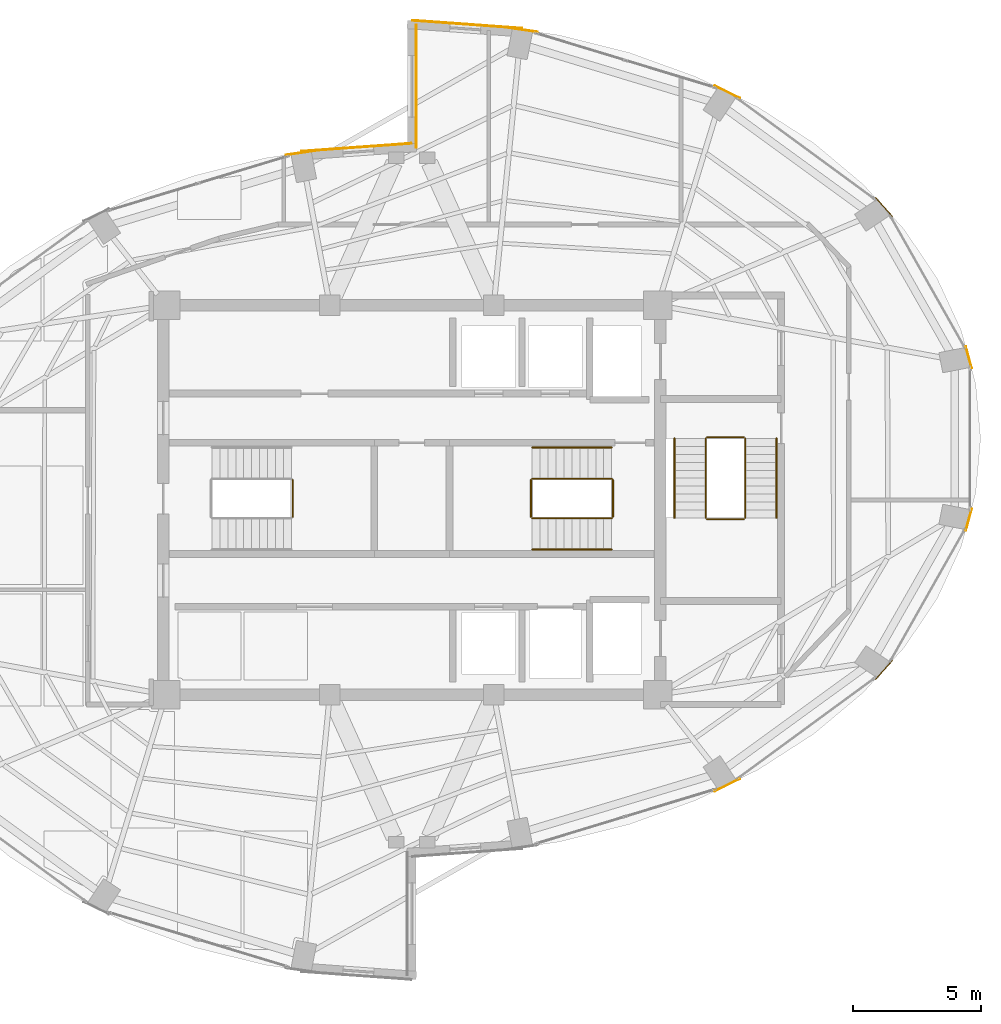
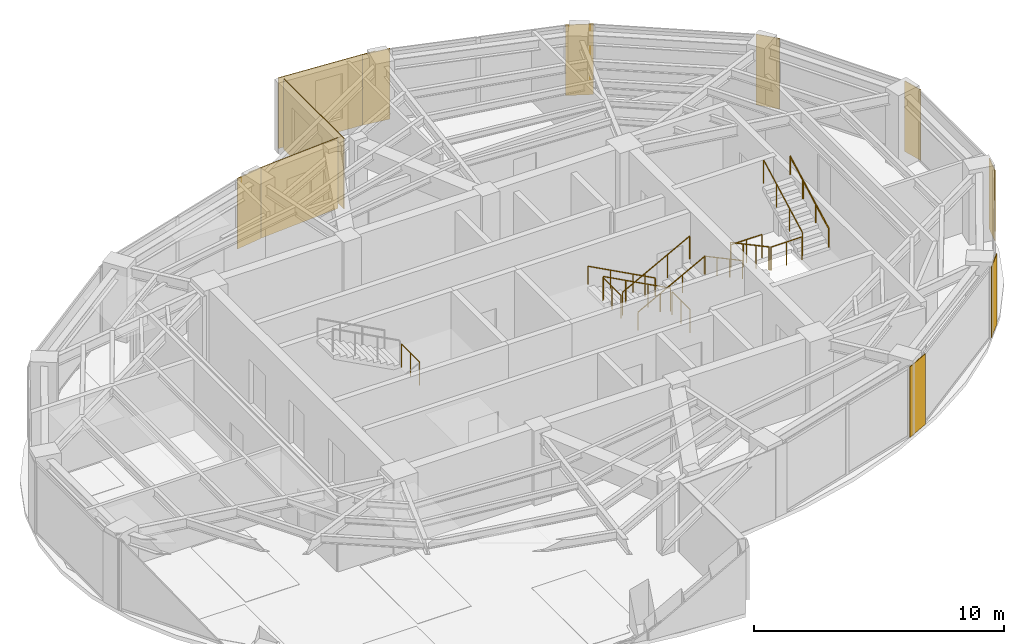
# One storey, part 22 of 22: 13 railings, 11 coverings.
"""IFC4 building model written with IfcOpenShell, lengths in metres."""

from ifc_helpers import new_model, si_unit, direction, frame, origin, origin_2d, place, context, subcontext, project, spatial, rectangle, circle, extrude, material, layer, layer_set, type_object, element, save


model = new_model("IFC4")

# Units and contexts
model_context = context("Model", 3, precision=1e-05, world=origin(), true_north=direction((0.0, 1.0)))
body_context = subcontext(model_context, "Body", "Model", "MODEL_VIEW")
ifc_project = project(units=[si_unit("LENGTHUNIT", "METRE"), si_unit("AREAUNIT", "SQUARE_METRE"), si_unit("VOLUMEUNIT", "CUBIC_METRE"), si_unit("PLANEANGLEUNIT", "RADIAN"), si_unit("MASSUNIT", "GRAM", prefix="KILO")], contexts=[model_context])

# Site, building, storey
site_placement = place(None, origin())
site = spatial("IfcSite", under=ifc_project, at=site_placement, CompositionType="ELEMENT")
building_placement = place(site_placement, origin())
building = spatial("IfcBuilding", under=site, at=building_placement, Name="Lazwardi Medical Tower", CompositionType="ELEMENT")
storey_placement = place(building_placement, frame((0.0, 0.0, 238.60791015625)))
storey = spatial("IfcBuildingStorey", under=building, at=storey_placement, Name="L62", CompositionType="ELEMENT", Elevation=238.60791015625)

# Coverings
ifc_material_1 = material(Name="Anodised bronze aluminium cassette cladding", Category="aluminium")
ifc_layer_1 = layer(ifc_material_1, 0.030029296875)
ifc_layer_set_1 = layer_set([ifc_layer_1], Name="Anodised bronze aluminium cassette cladding")
covering_type_1 = type_object("IfcCoveringType", Name="COV-CLD-BRZ", PredefinedType="CLADDING", material=ifc_layer_set_1)
covering_1_placement = place(storey_placement, frame((48.311279296875, 16.878662109375, 0.0), z_axis=(0.0, 0.0, 1.0), x_axis=(0.897840141691, 0.440321564278, 0.0)))
element("IfcCovering", 1, at=covering_1_placement, inside=storey, type_object=covering_type_1, Name="L62 Mega-column bronze cassette cover M02", PredefinedType="CLADDING", context=body_context, shape_type="SweptSolid", body=[
    extrude(rectangle(XDim=1.110595703125, YDim=0.030029296875, at=origin_2d()), origin(), (0.0, 0.0, 1.0), 3.447998046875),
])
covering_2_placement = place(storey_placement, frame((54.42529296875, 21.365234375, 0.0), z_axis=(0.0, 0.0, 1.0), x_axis=(0.673240970654, 0.739423150458, 0.0)))
element("IfcCovering", 2, at=covering_2_placement, inside=storey, type_object=covering_type_1, Name="L62 Mega-column bronze cassette cover M03", PredefinedType="CLADDING", context=body_context, shape_type="SweptSolid", body=[
    extrude(rectangle(XDim=0.98974609375, YDim=0.030029296875, at=origin_2d()), origin(), (0.0, 0.0, 1.0), 3.447998046875),
])
for number, where, z_axis, x_axis, name in (
    (3, (57.734130859375, 27.227294921875, 0.0), (0.0, 0.0, 1.0), (0.261641748247, 0.96516506131, 0.0), "L62 Mega-column bronze cassette cover M04"),
    (4, (57.734130859375, 33.572509765625, 0.0), (0.0, 0.0, 1.0), (-0.261641748247, 0.96516506131, 0.0), "L62 Mega-column bronze cassette cover M05"),
):
    element("IfcCovering", number, at=place(storey_placement, frame(where, z_axis=z_axis, x_axis=x_axis)), inside=storey, type_object=covering_type_1, Name=name, PredefinedType="CLADDING", context=body_context, shape_type="SweptSolid", body=[
        extrude(rectangle(XDim=0.894287109375, YDim=0.030029296875, at=origin_2d()), origin(), (0.0, 0.0, 1.0), 3.447998046875),
    ])
covering_3_placement = place(storey_placement, frame((54.42529296875, 39.434814453125, 0.0), z_axis=(0.0, 0.0, 1.0), x_axis=(-0.673240970654, 0.739423150458, 0.0)))
element("IfcCovering", 5, at=covering_3_placement, inside=storey, type_object=covering_type_1, Name="L62 Mega-column bronze cassette cover M06", PredefinedType="CLADDING", context=body_context, shape_type="SweptSolid", body=[
    extrude(rectangle(XDim=0.98974609375, YDim=0.030029296875, at=origin_2d()), origin(), (0.0, 0.0, 1.0), 3.447998046875),
])
covering_4_placement = place(storey_placement, frame((48.311279296875, 43.92138671875, 0.0), z_axis=(0.0, 0.0, 1.0), x_axis=(-0.897840141691, 0.440321564278, 0.0)))
element("IfcCovering", 6, at=covering_4_placement, inside=storey, type_object=covering_type_1, Name="L62 Mega-column bronze cassette cover M07", PredefinedType="CLADDING", context=body_context, shape_type="SweptSolid", body=[
    extrude(rectangle(XDim=1.110595703125, YDim=0.030029296875, at=origin_2d()), origin(), (0.0, 0.0, 1.0), 3.447998046875),
])
for number, where, z_axis, x_axis, name in (
    (7, (40.3232421875, 46.349609375, 0.0), (0.0, 0.0, 1.0), (-0.989512431533, 0.144447733943, 0.0), "L62 Mega-column bronze cassette cover M08"),
    (8, (31.6767578125, 41.549560546875, 0.0), (0.0, 0.0, 1.0), (-0.989512431533, -0.144447733943, 0.0), "L62 Mega-column bronze cassette cover M09"),
):
    element("IfcCovering", number, at=place(storey_placement, frame(where, z_axis=z_axis, x_axis=x_axis)), inside=storey, type_object=covering_type_1, Name=name, PredefinedType="CLADDING", context=body_context, shape_type="SweptSolid", body=[
        extrude(rectangle(XDim=1.188720703125, YDim=0.030029296875, at=origin_2d()), origin(), (0.0, 0.0, 1.0), 3.447998046875),
    ])
ifc_material_2 = material(Name="Turquoise glazed ceramic tilework cladding", Category="masonry")
ifc_layer_2 = layer(ifc_material_2, 0.034912109375)
ifc_layer_set_2 = layer_set([ifc_layer_2], Name="Turquoise glazed ceramic tilework cladding")
covering_type_2 = type_object("IfcCoveringType", Name="COV-CLD-TRQ", PredefinedType="CLADDING", material=ifc_layer_set_2)
covering_5_placement = place(storey_placement, frame((38.16259765625, 46.56005859375, 0.0), z_axis=(0.0, 0.0, 1.0), x_axis=(-0.997409491337, 0.071932653157, 0.0)))
element("IfcCovering", 9, at=covering_5_placement, inside=storey, type_object=covering_type_2, Name="L62 Turquoise glazed ceramic tilework cladding", PredefinedType="CLADDING", context=body_context, shape_type="SweptSolid", body=[
    extrude(rectangle(XDim=4.31103515625, YDim=0.034912109375, at=origin_2d()), origin(), (0.0, 0.0, 1.0), 3.447998046875),
])
covering_6_placement = place(storey_placement, frame((33.83740234375, 41.760009765625, 0.0), z_axis=(0.0, 0.0, 1.0), x_axis=(-0.997408989128, -0.071939616387, 0.0)))
element("IfcCovering", 10, at=covering_6_placement, inside=storey, type_object=covering_type_2, Name="L62 Turquoise glazed ceramic tilework cladding", PredefinedType="CLADDING", context=body_context, shape_type="SweptSolid", body=[
    extrude(rectangle(XDim=4.310546875, YDim=0.034912109375, at=origin_2d()), origin(), (0.0, 0.0, 1.0), 3.447998046875),
])
covering_7_placement = place(storey_placement, frame((36.175537109375, 44.139892578125, 0.0), z_axis=(0.0, 0.0, 1.0), x_axis=(0.0, -1.0, 0.0)))
element("IfcCovering", 11, at=covering_7_placement, inside=storey, type_object=covering_type_2, Name="L62 Turquoise glazed ceramic tilework iwan panel", PredefinedType="CLADDING", context=body_context, shape_type="SweptSolid", body=[
    extrude(rectangle(XDim=4.800048828125, YDim=0.034912109375, at=origin_2d()), origin(), (0.0, 0.0, 1.0), 3.447998046875),
])

# Railings
ifc_material_3 = material(Name="Stainless steel Grade 316", Category="steel")
railing_type_1 = type_object("IfcRailingType", Name="RLG-GRD-1150", PredefinedType="GUARDRAIL", material=ifc_material_3)
railing_1_placement = place(storey_placement, frame((31.35009765625, 27.340087890625, 1.823974609375)))
element("IfcRailing", 12, at=railing_1_placement, inside=storey, type_object=railing_type_1, Name="L62 ST1 stair guard 2", PredefinedType="GUARDRAIL", context=body_context, shape_type="SweptSolid", body=[
    extrude(circle(Radius=0.02392578125, at=origin_2d()), frame((0.0, 0.0, 1.1259765625), z_axis=(0.0, 1.0, 0.0), x_axis=(-1.0, 0.0, 0.0)), (0.0, 0.0, 1.0), 1.43994140625),
    extrude(circle(Radius=0.02099609375, at=origin_2d()), origin(), (0.0, 0.0, 1.0), 1.099853515625),
    extrude(circle(Radius=0.02099609375, at=origin_2d()), frame((0.0, 0.719970703125, 0.0)), (0.0, 0.0, 1.0), 1.099853515625),
    extrude(circle(Radius=0.02099609375, at=origin_2d()), frame((0.0, 1.43994140625, 0.0)), (0.0, 0.0, 1.0), 1.099853515625),
])
railing_2_placement = place(storey_placement, frame((43.800048828125, 28.830078125, 0.166015625)))
element("IfcRailing", 13, at=railing_2_placement, inside=storey, type_object=railing_type_1, Name="L62 ST2 stair guard 1", PredefinedType="GUARDRAIL", context=body_context, shape_type="SweptSolid", body=[
    extrude(circle(Radius=0.02392578125, at=origin_2d()), frame((0.0, 0.0, 1.1259765625), z_axis=(-0.881812178953, 0.0, 0.471600764472), x_axis=(0.0, -1.0, 0.0)), (0.0, 0.0, 1.0), 3.515625),
    extrude(circle(Radius=0.02099609375, at=origin_2d()), origin(), (0.0, 0.0, 1.0), 1.099853515625),
    extrude(circle(Radius=0.02099609375, at=origin_2d()), frame((-1.033447265625, 0.0, 0.552734375)), (0.0, 0.0, 1.0), 1.099853515625),
    extrude(circle(Radius=0.02099609375, at=origin_2d()), frame((-2.066650390625, 0.0, 1.105224609375)), (0.0, 0.0, 1.0), 1.099853515625),
    extrude(circle(Radius=0.02099609375, at=origin_2d()), frame((-3.10009765625, 0.0, 1.657958984375)), (0.0, 0.0, 1.0), 1.099853515625),
])
railing_3_placement = place(storey_placement, frame((40.64990234375, 28.780029296875, 1.823974609375)))
element("IfcRailing", 14, at=railing_3_placement, inside=storey, type_object=railing_type_1, Name="L62 ST2 stair guard 2", PredefinedType="GUARDRAIL", context=body_context, shape_type="SweptSolid", body=[
    extrude(circle(Radius=0.02392578125, at=origin_2d()), frame((0.0, 0.0, 1.1259765625), z_axis=(0.0, -1.0, 0.0), x_axis=(1.0, 0.0, 0.0)), (0.0, 0.0, 1.0), 1.43994140625),
    extrude(circle(Radius=0.02099609375, at=origin_2d()), origin(), (0.0, 0.0, 1.0), 1.099853515625),
    extrude(circle(Radius=0.02099609375, at=origin_2d()), frame((0.0, -0.719970703125, 0.0)), (0.0, 0.0, 1.0), 1.099853515625),
    extrude(circle(Radius=0.02099609375, at=origin_2d()), frame((0.0, -1.43994140625, 0.0)), (0.0, 0.0, 1.0), 1.099853515625),
])
railing_4_placement = place(storey_placement, frame((40.699951171875, 27.2900390625, 1.989990234375)))
element("IfcRailing", 15, at=railing_4_placement, inside=storey, type_object=railing_type_1, Name="L62 ST2 stair guard 3", PredefinedType="GUARDRAIL", context=body_context, shape_type="SweptSolid", body=[
    extrude(circle(Radius=0.02392578125, at=origin_2d()), frame((0.0, 0.0, 1.1259765625), z_axis=(0.881783298633, 0.0, 0.471654761719), x_axis=(0.0, 1.0, 0.0)), (0.0, 0.0, 1.0), 3.515625),
    extrude(circle(Radius=0.02099609375, at=origin_2d()), origin(), (0.0, 0.0, 1.0), 1.099853515625),
    extrude(circle(Radius=0.02099609375, at=origin_2d()), frame((1.033447265625, 0.0, 0.552734375)), (0.0, 0.0, 1.0), 1.099853515625),
    extrude(circle(Radius=0.02099609375, at=origin_2d()), frame((2.066650390625, 0.0, 1.10546875)), (0.0, 0.0, 1.0), 1.099853515625),
    extrude(circle(Radius=0.02099609375, at=origin_2d()), frame((3.10009765625, 0.0, 1.658203125)), (0.0, 0.0, 1.0), 1.099853515625),
])
railing_5_placement = place(storey_placement, frame((43.85009765625, 28.780029296875, 0.0)))
element("IfcRailing", 16, at=railing_5_placement, inside=storey, type_object=railing_type_1, Name="L62 ST2 stair guard 4", PredefinedType="GUARDRAIL", context=body_context, shape_type="SweptSolid", body=[
    extrude(circle(Radius=0.02392578125, at=origin_2d()), frame((0.0, 0.0, 1.1259765625), z_axis=(0.0, -1.0, 0.0), x_axis=(1.0, 0.0, 0.0)), (0.0, 0.0, 1.0), 1.43994140625),
    extrude(circle(Radius=0.02099609375, at=origin_2d()), origin(), (0.0, 0.0, 1.0), 1.099853515625),
    extrude(circle(Radius=0.02099609375, at=origin_2d()), frame((0.0, -0.719970703125, 0.0)), (0.0, 0.0, 1.0), 1.099853515625),
    extrude(circle(Radius=0.02099609375, at=origin_2d()), frame((0.0, -1.43994140625, 0.0)), (0.0, 0.0, 1.0), 1.099853515625),
])
railing_6_placement = place(storey_placement, frame((47.469970703125, 30.39990234375, 0.166015625)))
element("IfcRailing", 17, at=railing_6_placement, inside=storey, type_object=railing_type_1, Name="L62 ST3 stair guard 1", PredefinedType="GUARDRAIL", context=body_context, shape_type="SweptSolid", body=[
    extrude(circle(Radius=0.02392578125, at=origin_2d()), frame((0.0, 0.0, 1.1259765625), z_axis=(0.0, -0.881796732468, 0.4716296456), x_axis=(1.0, 0.0, 0.0)), (0.0, 0.0, 1.0), 3.515380859375),
    extrude(circle(Radius=0.02099609375, at=origin_2d()), origin(), (0.0, 0.0, 1.0), 1.099853515625),
    extrude(circle(Radius=0.02099609375, at=origin_2d()), frame((0.0, -1.033203125, 0.552734375)), (0.0, 0.0, 1.0), 1.099853515625),
    extrude(circle(Radius=0.02099609375, at=origin_2d()), frame((0.0, -2.066650390625, 1.105224609375)), (0.0, 0.0, 1.0), 1.099853515625),
    extrude(circle(Radius=0.02099609375, at=origin_2d()), frame((0.0, -3.099853515625, 1.657958984375)), (0.0, 0.0, 1.0), 1.099853515625),
])
railing_7_placement = place(storey_placement, frame((47.52001953125, 27.25, 1.823974609375)))
element("IfcRailing", 18, at=railing_7_placement, inside=storey, type_object=railing_type_1, Name="L62 ST3 stair guard 2", PredefinedType="GUARDRAIL", context=body_context, shape_type="SweptSolid", body=[
    extrude(circle(Radius=0.02392578125, at=origin_2d()), frame((0.0, 0.0, 1.1259765625), z_axis=(1.0, 0.0, 0.0), x_axis=(0.0, 1.0, 0.0)), (0.0, 0.0, 1.0), 1.43994140625),
    extrude(circle(Radius=0.02099609375, at=origin_2d()), origin(), (0.0, 0.0, 1.0), 1.099853515625),
    extrude(circle(Radius=0.02099609375, at=origin_2d()), frame((0.719970703125, 0.0, 0.0)), (0.0, 0.0, 1.0), 1.099853515625),
    extrude(circle(Radius=0.02099609375, at=origin_2d()), frame((1.43994140625, 0.0, 0.0)), (0.0, 0.0, 1.0), 1.099853515625),
])
railing_8_placement = place(storey_placement, frame((49.010009765625, 27.300048828125, 1.989990234375)))
element("IfcRailing", 19, at=railing_8_placement, inside=storey, type_object=railing_type_1, Name="L62 ST3 stair guard 3", PredefinedType="GUARDRAIL", context=body_context, shape_type="SweptSolid", body=[
    extrude(circle(Radius=0.02392578125, at=origin_2d()), frame((0.0, 0.0, 1.1259765625), z_axis=(0.0, 0.881767849116, 0.471683644262), x_axis=(-1.0, 0.0, 0.0)), (0.0, 0.0, 1.0), 3.515380859375),
    extrude(circle(Radius=0.02099609375, at=origin_2d()), origin(), (0.0, 0.0, 1.0), 1.099853515625),
    extrude(circle(Radius=0.02099609375, at=origin_2d()), frame((0.0, 1.033203125, 0.552734375)), (0.0, 0.0, 1.0), 1.099853515625),
    extrude(circle(Radius=0.02099609375, at=origin_2d()), frame((0.0, 2.066650390625, 1.10546875)), (0.0, 0.0, 1.0), 1.099853515625),
    extrude(circle(Radius=0.02099609375, at=origin_2d()), frame((0.0, 3.099853515625, 1.658203125)), (0.0, 0.0, 1.0), 1.099853515625),
])
railing_9_placement = place(storey_placement, frame((47.52001953125, 30.449951171875, 0.0)))
element("IfcRailing", 20, at=railing_9_placement, inside=storey, type_object=railing_type_1, Name="L62 ST3 stair guard 4", PredefinedType="GUARDRAIL", context=body_context, shape_type="SweptSolid", body=[
    extrude(circle(Radius=0.02392578125, at=origin_2d()), frame((0.0, 0.0, 1.1259765625), z_axis=(1.0, 0.0, 0.0), x_axis=(0.0, 1.0, 0.0)), (0.0, 0.0, 1.0), 1.43994140625),
    extrude(circle(Radius=0.02099609375, at=origin_2d()), origin(), (0.0, 0.0, 1.0), 1.099853515625),
    extrude(circle(Radius=0.02099609375, at=origin_2d()), frame((0.719970703125, 0.0, 0.0)), (0.0, 0.0, 1.0), 1.099853515625),
    extrude(circle(Radius=0.02099609375, at=origin_2d()), frame((1.43994140625, 0.0, 0.0)), (0.0, 0.0, 1.0), 1.099853515625),
])
railing_type_2 = type_object("IfcRailingType", Name="RLG-HND-920", PredefinedType="HANDRAIL", material=ifc_material_3)
railing_10_placement = place(storey_placement, frame((43.800048828125, 30.050048828125, 0.166015625)))
element("IfcRailing", 21, at=railing_10_placement, inside=storey, type_object=railing_type_2, Name="L62 ST2 stair handrail 1", PredefinedType="HANDRAIL", context=body_context, shape_type="SweptSolid", body=[
    extrude(circle(Radius=0.02392578125, at=origin_2d()), frame((0.0, 0.0, 0.8857421875), z_axis=(-0.881812178953, 0.0, 0.471600764472), x_axis=(0.0, -1.0, 0.0)), (0.0, 0.0, 1.0), 3.515625),
    extrude(circle(Radius=0.02099609375, at=origin_2d()), origin(), (0.0, 0.0, 1.0), 0.85986328125),
    extrude(circle(Radius=0.02099609375, at=origin_2d()), frame((-1.033447265625, 0.0, 0.552734375)), (0.0, 0.0, 1.0), 0.85986328125),
    extrude(circle(Radius=0.02099609375, at=origin_2d()), frame((-2.066650390625, 0.0, 1.105224609375)), (0.0, 0.0, 1.0), 0.85986328125),
    extrude(circle(Radius=0.02099609375, at=origin_2d()), frame((-3.10009765625, 0.0, 1.657958984375)), (0.0, 0.0, 1.0), 0.85986328125),
])
railing_11_placement = place(storey_placement, frame((40.699951171875, 26.070068359375, 1.989990234375)))
element("IfcRailing", 22, at=railing_11_placement, inside=storey, type_object=railing_type_2, Name="L62 ST2 stair handrail 2", PredefinedType="HANDRAIL", context=body_context, shape_type="SweptSolid", body=[
    extrude(circle(Radius=0.02392578125, at=origin_2d()), frame((0.0, 0.0, 0.8857421875), z_axis=(0.881783298633, 0.0, 0.471654761719), x_axis=(0.0, 1.0, 0.0)), (0.0, 0.0, 1.0), 3.515625),
    extrude(circle(Radius=0.02099609375, at=origin_2d()), origin(), (0.0, 0.0, 1.0), 0.85986328125),
    extrude(circle(Radius=0.02099609375, at=origin_2d()), frame((1.033447265625, 0.0, 0.552734375)), (0.0, 0.0, 1.0), 0.85986328125),
    extrude(circle(Radius=0.02099609375, at=origin_2d()), frame((2.066650390625, 0.0, 1.10546875)), (0.0, 0.0, 1.0), 0.85986328125),
    extrude(circle(Radius=0.02099609375, at=origin_2d()), frame((3.10009765625, 0.0, 1.658203125)), (0.0, 0.0, 1.0), 0.85986328125),
])
railing_12_placement = place(storey_placement, frame((46.25, 30.39990234375, 0.166015625)))
element("IfcRailing", 23, at=railing_12_placement, inside=storey, type_object=railing_type_2, Name="L62 ST3 stair handrail 1", PredefinedType="HANDRAIL", context=body_context, shape_type="SweptSolid", body=[
    extrude(circle(Radius=0.02392578125, at=origin_2d()), frame((0.0, 0.0, 0.8857421875), z_axis=(0.0, -0.881796732468, 0.4716296456), x_axis=(1.0, 0.0, 0.0)), (0.0, 0.0, 1.0), 3.515380859375),
    extrude(circle(Radius=0.02099609375, at=origin_2d()), origin(), (0.0, 0.0, 1.0), 0.85986328125),
    extrude(circle(Radius=0.02099609375, at=origin_2d()), frame((0.0, -1.033203125, 0.552734375)), (0.0, 0.0, 1.0), 0.85986328125),
    extrude(circle(Radius=0.02099609375, at=origin_2d()), frame((0.0, -2.066650390625, 1.105224609375)), (0.0, 0.0, 1.0), 0.85986328125),
    extrude(circle(Radius=0.02099609375, at=origin_2d()), frame((0.0, -3.099853515625, 1.657958984375)), (0.0, 0.0, 1.0), 0.85986328125),
])
railing_13_placement = place(storey_placement, frame((50.22998046875, 27.300048828125, 1.989990234375)))
element("IfcRailing", 24, at=railing_13_placement, inside=storey, type_object=railing_type_2, Name="L62 ST3 stair handrail 2", PredefinedType="HANDRAIL", context=body_context, shape_type="SweptSolid", body=[
    extrude(circle(Radius=0.02392578125, at=origin_2d()), frame((0.0, 0.0, 0.8857421875), z_axis=(0.0, 0.881767849116, 0.471683644262), x_axis=(-1.0, 0.0, 0.0)), (0.0, 0.0, 1.0), 3.515380859375),
    extrude(circle(Radius=0.02099609375, at=origin_2d()), origin(), (0.0, 0.0, 1.0), 0.85986328125),
    extrude(circle(Radius=0.02099609375, at=origin_2d()), frame((0.0, 1.033203125, 0.552734375)), (0.0, 0.0, 1.0), 0.85986328125),
    extrude(circle(Radius=0.02099609375, at=origin_2d()), frame((0.0, 2.066650390625, 1.10546875)), (0.0, 0.0, 1.0), 0.85986328125),
    extrude(circle(Radius=0.02099609375, at=origin_2d()), frame((0.0, 3.099853515625, 1.658203125)), (0.0, 0.0, 1.0), 0.85986328125),
])

save(model, "model.ifc")
